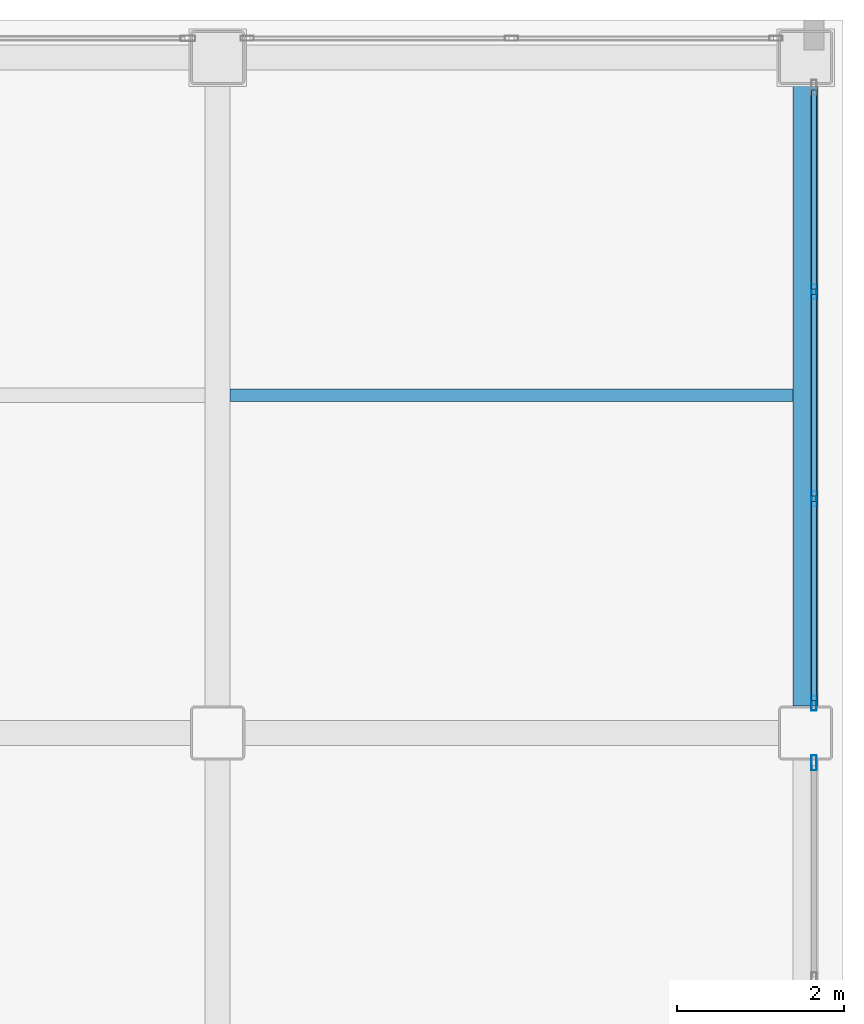
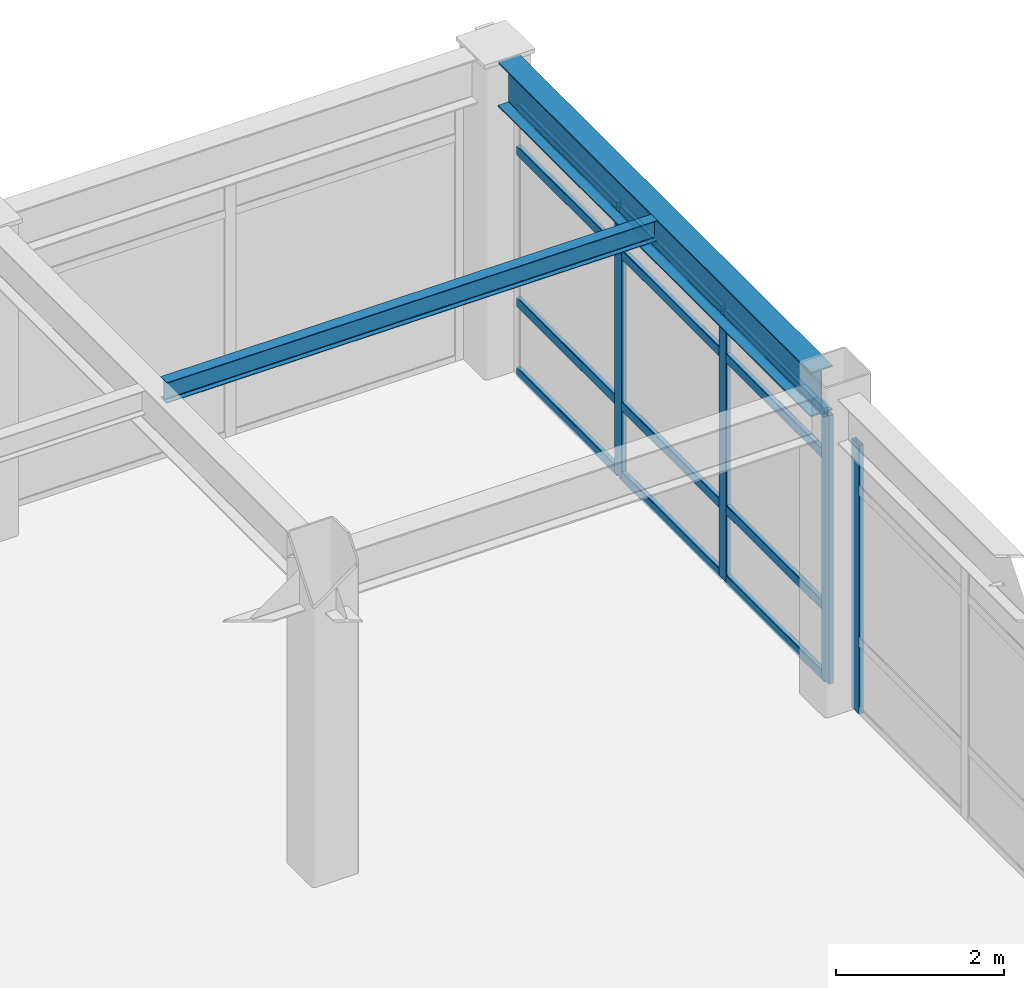
# One storey, part 41 of 61: 16 members, 2 beams, 2 elements without a shape of their own.
"""IFC4 building model written with IfcOpenShell, lengths in metres."""

from ifc_helpers import new_model, si_unit, direction, frame, origin, origin_2d, place, context, subcontext, project, spatial, hollow_rectangle, i_section, extrude, material, layer, layer_set, material_profile, profile_set, type_object, element, aggregate, save


model = new_model("IFC4")

# Units and contexts
model_context = context("Model", 3, precision=1e-05, world=origin(), true_north=direction((0.0, 1.0)))
body_context = subcontext(model_context, "Body", "Model", "MODEL_VIEW")
ifc_project = project(units=[si_unit("LENGTHUNIT", "METRE"), si_unit("AREAUNIT", "SQUARE_METRE"), si_unit("VOLUMEUNIT", "CUBIC_METRE"), si_unit("PLANEANGLEUNIT", "RADIAN"), si_unit("MASSUNIT", "GRAM", prefix="KILO")], contexts=[model_context])

# Site, building, storey
site_placement = place(None, origin())
site = spatial("IfcSite", under=ifc_project, at=site_placement, CompositionType="ELEMENT")
building_placement = place(site_placement, origin())
building = spatial("IfcBuilding", under=site, at=building_placement, Name="Kazehara Bluff Congress Hotel", CompositionType="ELEMENT")
storey_placement = place(building_placement, frame((0.0, 0.0, 19.800048828125)))
storey = spatial("IfcBuildingStorey", under=building, at=storey_placement, Name="L04", CompositionType="ELEMENT", Elevation=19.800048828125)

# Curtain wall, member
ifc_material_1 = material(Name="Anodised aluminium", Category="aluminium")
ifc_layer_1 = layer(ifc_material_1, 0.159912109375)
ifc_layer_set_1 = layer_set([ifc_layer_1], Name="Anodised aluminium")
curtain_wall_type_1 = type_object("IfcCurtainWallType", Name="TP-CW-163", PredefinedType="NOTDEFINED", material=ifc_layer_set_1)
curtain_wall_1_placement = place(storey_placement, origin())
curtain_wall_1 = element("IfcCurtainWall", 1, at=curtain_wall_1_placement, inside=storey, type_object=curtain_wall_type_1, Name="L04 curtain wall CW-163 CW-ENC-V5-L04-16765-10118", PredefinedType="NOTDEFINED")
ifc_material_2 = material(Name="Anodised aluminium", Category="aluminium")
ifc_material_profile_1 = material_profile(ifc_material_2, hollow_rectangle(XDim=0.06494140625, YDim=0.179931640625, WallThickness=0.00390625, InnerFilletRadius=0.00390625, OuterFilletRadius=0.008056640625, at=origin_2d()))
ifc_profile_set_1 = profile_set([ifc_material_profile_1], Name="Anodised aluminium")
member_type_1 = type_object("IfcMemberType", Name="TP-CWM-02", PredefinedType="MULLION", material=ifc_profile_set_1)
member_1_placement = place(storey_placement, frame((167.64990234375, 105.092529296875, 0.0), z_axis=(0.0, 0.0, 1.0), x_axis=(1.0, 0.0, 0.0)))
member_1 = element("IfcMember", 2, at=member_1_placement, type_object=member_type_1, Name="CW-163 mullion 1", PredefinedType="MULLION", context=body_context, shape_type="SweptSolid", body=[
    extrude(hollow_rectangle(XDim=0.06494140625, YDim=0.179931640625, WallThickness=0.00390625, InnerFilletRadius=0.00390625, OuterFilletRadius=0.008056640625, at=origin_2d()), origin(), (0.0, 0.0, 1.0), 3.905029296875),
])
aggregate(curtain_wall_1, [member_1])

# Curtain wall, members
ifc_material_3 = material(Name="Anodised aluminium", Category="aluminium")
ifc_layer_2 = layer(ifc_material_3, 0.159912109375)
ifc_layer_set_2 = layer_set([ifc_layer_2], Name="Anodised aluminium")
curtain_wall_type_2 = type_object("IfcCurtainWallType", Name="TP-CW-164", PredefinedType="NOTDEFINED", material=ifc_layer_set_2)
curtain_wall_2_placement = place(storey_placement, origin())
curtain_wall_2 = element("IfcCurtainWall", 3, at=curtain_wall_2_placement, inside=storey, type_object=curtain_wall_type_2, Name="L04 curtain wall CW-164 CW-ENC-V5-L04-16765-10950", PredefinedType="NOTDEFINED")
member_2_placement = place(storey_placement, frame((167.64990234375, 110.74169921875, 0.0), z_axis=(0.0, 0.0, 1.0), x_axis=(1.0, 0.0, 0.0)))
member_2 = element("IfcMember", 4, at=member_2_placement, type_object=member_type_1, Name="CW-164 mullion 2", PredefinedType="MULLION", context=body_context, shape_type="SweptSolid", body=[
    extrude(hollow_rectangle(XDim=0.06494140625, YDim=0.179931640625, WallThickness=0.00390625, InnerFilletRadius=0.00390625, OuterFilletRadius=0.008056640625, at=origin_2d()), origin(), (0.0, 0.0, 1.0), 3.905029296875),
])
member_3_placement = place(storey_placement, frame((167.64990234375, 108.25830078125, 0.0), z_axis=(0.0, 0.0, 1.0), x_axis=(1.0, 0.0, 0.0)))
member_3 = element("IfcMember", 5, at=member_3_placement, type_object=member_type_1, Name="CW-164 mullion 3", PredefinedType="MULLION", context=body_context, shape_type="SweptSolid", body=[
    extrude(hollow_rectangle(XDim=0.06494140625, YDim=0.179931640625, WallThickness=0.00390625, InnerFilletRadius=0.00390625, OuterFilletRadius=0.008056640625, at=origin_2d()), origin(), (0.0, 0.0, 1.0), 3.905029296875),
])
member_4_placement = place(storey_placement, frame((167.64990234375, 105.8076171875, 0.0), z_axis=(0.0, 0.0, 1.0), x_axis=(1.0, 0.0, 0.0)))
member_4 = element("IfcMember", 6, at=member_4_placement, type_object=member_type_1, Name="CW-164 mullion 4", PredefinedType="MULLION", context=body_context, shape_type="SweptSolid", body=[
    extrude(hollow_rectangle(XDim=0.06494140625, YDim=0.179931640625, WallThickness=0.00390625, InnerFilletRadius=0.00390625, OuterFilletRadius=0.008056640625, at=origin_2d()), origin(), (0.0, 0.0, 1.0), 3.905029296875),
])
ifc_material_4 = material(Name="Anodised aluminium", Category="aluminium")
ifc_material_profile_2 = material_profile(ifc_material_4, hollow_rectangle(XDim=0.06494140625, YDim=0.139892578125, WallThickness=0.00390625, InnerFilletRadius=0.00390625, OuterFilletRadius=0.008056640625, at=origin_2d()))
ifc_profile_set_2 = profile_set([ifc_material_profile_2], Name="Anodised aluminium")
member_type_2 = type_object("IfcMemberType", Name="TP-CWT-02", PredefinedType="USERDEFINED", material=ifc_profile_set_2)
member_5_placement = place(storey_placement, frame((167.64990234375, 113.159912109375, 0.032470703125), z_axis=(0.0, -1.0, 0.0), x_axis=(1.0, 0.0, 0.0)))
member_5 = element("IfcMember", 7, at=member_5_placement, type_object=member_type_2, Name="CW-164 transom 1.1", ObjectType="TRANSOM", PredefinedType="USERDEFINED", context=body_context, shape_type="SweptSolid", body=[
    extrude(hollow_rectangle(XDim=0.06494140625, YDim=0.139892578125, WallThickness=0.00390625, InnerFilletRadius=0.00390625, OuterFilletRadius=0.008056640625, at=origin_2d()), origin(), (0.0, 0.0, 1.0), 2.3857421875),
])
member_6_placement = place(storey_placement, frame((167.64990234375, 113.159912109375, 1.050048828125), z_axis=(0.0, -1.0, 0.0), x_axis=(1.0, 0.0, 0.0)))
member_6 = element("IfcMember", 8, at=member_6_placement, type_object=member_type_2, Name="CW-164 transom 1.2", ObjectType="TRANSOM", PredefinedType="USERDEFINED", context=body_context, shape_type="SweptSolid", body=[
    extrude(hollow_rectangle(XDim=0.06494140625, YDim=0.139892578125, WallThickness=0.00390625, InnerFilletRadius=0.00390625, OuterFilletRadius=0.008056640625, at=origin_2d()), origin(), (0.0, 0.0, 1.0), 2.3857421875),
])
member_7_placement = place(storey_placement, frame((167.64990234375, 113.159912109375, 3.2548828125), z_axis=(0.0, -1.0, 0.0), x_axis=(1.0, 0.0, 0.0)))
member_7 = element("IfcMember", 9, at=member_7_placement, type_object=member_type_2, Name="CW-164 transom 1.3", ObjectType="TRANSOM", PredefinedType="USERDEFINED", context=body_context, shape_type="SweptSolid", body=[
    extrude(hollow_rectangle(XDim=0.06494140625, YDim=0.139892578125, WallThickness=0.00390625, InnerFilletRadius=0.00390625, OuterFilletRadius=0.008056640625, at=origin_2d()), origin(), (0.0, 0.0, 1.0), 2.3857421875),
])
member_8_placement = place(storey_placement, frame((167.64990234375, 113.159912109375, 3.87255859375), z_axis=(0.0, -1.0, 0.0), x_axis=(1.0, 0.0, 0.0)))
member_8 = element("IfcMember", 10, at=member_8_placement, type_object=member_type_2, Name="CW-164 transom 1.4", ObjectType="TRANSOM", PredefinedType="USERDEFINED", context=body_context, shape_type="SweptSolid", body=[
    extrude(hollow_rectangle(XDim=0.06494140625, YDim=0.139892578125, WallThickness=0.00390625, InnerFilletRadius=0.00390625, OuterFilletRadius=0.008056640625, at=origin_2d()), origin(), (0.0, 0.0, 1.0), 2.3857421875),
])
member_9_placement = place(storey_placement, frame((167.64990234375, 110.709228515625, 0.032470703125), z_axis=(0.0, -1.0, 0.0), x_axis=(1.0, 0.0, 0.0)))
member_9 = element("IfcMember", 11, at=member_9_placement, type_object=member_type_2, Name="CW-164 transom 2.1", ObjectType="TRANSOM", PredefinedType="USERDEFINED", context=body_context, shape_type="SweptSolid", body=[
    extrude(hollow_rectangle(XDim=0.06494140625, YDim=0.139892578125, WallThickness=0.00390625, InnerFilletRadius=0.00390625, OuterFilletRadius=0.008056640625, at=origin_2d()), origin(), (0.0, 0.0, 1.0), 2.41845703125),
])
member_10_placement = place(storey_placement, frame((167.64990234375, 110.709228515625, 1.050048828125), z_axis=(0.0, -1.0, 0.0), x_axis=(1.0, 0.0, 0.0)))
member_10 = element("IfcMember", 12, at=member_10_placement, type_object=member_type_2, Name="CW-164 transom 2.2", ObjectType="TRANSOM", PredefinedType="USERDEFINED", context=body_context, shape_type="SweptSolid", body=[
    extrude(hollow_rectangle(XDim=0.06494140625, YDim=0.139892578125, WallThickness=0.00390625, InnerFilletRadius=0.00390625, OuterFilletRadius=0.008056640625, at=origin_2d()), origin(), (0.0, 0.0, 1.0), 2.41845703125),
])
member_11_placement = place(storey_placement, frame((167.64990234375, 110.709228515625, 3.2548828125), z_axis=(0.0, -1.0, 0.0), x_axis=(1.0, 0.0, 0.0)))
member_11 = element("IfcMember", 13, at=member_11_placement, type_object=member_type_2, Name="CW-164 transom 2.3", ObjectType="TRANSOM", PredefinedType="USERDEFINED", context=body_context, shape_type="SweptSolid", body=[
    extrude(hollow_rectangle(XDim=0.06494140625, YDim=0.139892578125, WallThickness=0.00390625, InnerFilletRadius=0.00390625, OuterFilletRadius=0.008056640625, at=origin_2d()), origin(), (0.0, 0.0, 1.0), 2.41845703125),
])
member_12_placement = place(storey_placement, frame((167.64990234375, 110.709228515625, 3.87255859375), z_axis=(0.0, -1.0, 0.0), x_axis=(1.0, 0.0, 0.0)))
member_12 = element("IfcMember", 14, at=member_12_placement, type_object=member_type_2, Name="CW-164 transom 2.4", ObjectType="TRANSOM", PredefinedType="USERDEFINED", context=body_context, shape_type="SweptSolid", body=[
    extrude(hollow_rectangle(XDim=0.06494140625, YDim=0.139892578125, WallThickness=0.00390625, InnerFilletRadius=0.00390625, OuterFilletRadius=0.008056640625, at=origin_2d()), origin(), (0.0, 0.0, 1.0), 2.41845703125),
])
member_13_placement = place(storey_placement, frame((167.64990234375, 108.225830078125, 0.032470703125), z_axis=(0.0, -1.0, 0.0), x_axis=(1.0, 0.0, 0.0)))
member_13 = element("IfcMember", 15, at=member_13_placement, type_object=member_type_2, Name="CW-164 transom 3.1", ObjectType="TRANSOM", PredefinedType="USERDEFINED", context=body_context, shape_type="SweptSolid", body=[
    extrude(hollow_rectangle(XDim=0.06494140625, YDim=0.139892578125, WallThickness=0.00390625, InnerFilletRadius=0.00390625, OuterFilletRadius=0.008056640625, at=origin_2d()), origin(), (0.0, 0.0, 1.0), 2.3857421875),
])
member_14_placement = place(storey_placement, frame((167.64990234375, 108.225830078125, 1.050048828125), z_axis=(0.0, -1.0, 0.0), x_axis=(1.0, 0.0, 0.0)))
member_14 = element("IfcMember", 16, at=member_14_placement, type_object=member_type_2, Name="CW-164 transom 3.2", ObjectType="TRANSOM", PredefinedType="USERDEFINED", context=body_context, shape_type="SweptSolid", body=[
    extrude(hollow_rectangle(XDim=0.06494140625, YDim=0.139892578125, WallThickness=0.00390625, InnerFilletRadius=0.00390625, OuterFilletRadius=0.008056640625, at=origin_2d()), origin(), (0.0, 0.0, 1.0), 2.3857421875),
])
member_15_placement = place(storey_placement, frame((167.64990234375, 108.225830078125, 3.2548828125), z_axis=(0.0, -1.0, 0.0), x_axis=(1.0, 0.0, 0.0)))
member_15 = element("IfcMember", 17, at=member_15_placement, type_object=member_type_2, Name="CW-164 transom 3.3", ObjectType="TRANSOM", PredefinedType="USERDEFINED", context=body_context, shape_type="SweptSolid", body=[
    extrude(hollow_rectangle(XDim=0.06494140625, YDim=0.139892578125, WallThickness=0.00390625, InnerFilletRadius=0.00390625, OuterFilletRadius=0.008056640625, at=origin_2d()), origin(), (0.0, 0.0, 1.0), 2.3857421875),
])
member_16_placement = place(storey_placement, frame((167.64990234375, 108.225830078125, 3.87255859375), z_axis=(0.0, -1.0, 0.0), x_axis=(1.0, 0.0, 0.0)))
member_16 = element("IfcMember", 18, at=member_16_placement, type_object=member_type_2, Name="CW-164 transom 3.4", ObjectType="TRANSOM", PredefinedType="USERDEFINED", context=body_context, shape_type="SweptSolid", body=[
    extrude(hollow_rectangle(XDim=0.06494140625, YDim=0.139892578125, WallThickness=0.00390625, InnerFilletRadius=0.00390625, OuterFilletRadius=0.008056640625, at=origin_2d()), origin(), (0.0, 0.0, 1.0), 2.3857421875),
])
aggregate(curtain_wall_2, [member_2, member_3, member_4, member_5, member_6, member_7, member_8, member_9, member_10, member_11, member_12, member_13, member_14, member_15, member_16])

# Beams
ifc_material_5 = material(Name="Steel SN490B", Category="steel")
ifc_material_profile_3 = material_profile(ifc_material_5, i_section(OverallWidth=0.300048828125, OverallDepth=0.64990234375, WebThickness=0.011962890625, FlangeThickness=0.02001953125, FilletRadius=0.012939453125, at=origin_2d()))
ifc_profile_set_3 = profile_set([ifc_material_profile_3], Name="Steel SN490B")
beam_type_1 = type_object("IfcBeamType", Name="TP-G-03", PredefinedType="BEAM", material=ifc_profile_set_3)
beam_1_placement = place(storey_placement, frame((167.550048828125, 105.77490234375, 4.2548828125), z_axis=(0.0, 1.0, 0.0), x_axis=(-1.0, 0.0, 0.0)))
element("IfcBeam", 19, at=beam_1_placement, inside=storey, type_object=beam_type_1, Name="L04 girder G-03 77", PredefinedType="BEAM", context=body_context, shape_type="SweptSolid", body=[
    extrude(i_section(OverallWidth=0.300048828125, OverallDepth=0.64990234375, WebThickness=0.011962890625, FlangeThickness=0.02001953125, FilletRadius=0.012939453125, at=origin_2d()), origin(), (0.0, 0.0, 1.0), 7.4501953125),
])
ifc_material_6 = material(Name="Steel SN400B", Category="steel")
ifc_material_profile_4 = material_profile(ifc_material_6, i_section(OverallWidth=0.14990234375, OverallDepth=0.300048828125, WebThickness=0.006591796875, FlangeThickness=0.009033203125, FilletRadius=0.012939453125, at=origin_2d()))
ifc_profile_set_4 = profile_set([ifc_material_profile_4], Name="Steel SN400B")
beam_type_2 = type_object("IfcBeamType", Name="TP-J-01", PredefinedType="JOIST", material=ifc_profile_set_4)
beam_2_placement = place(storey_placement, frame((160.64990234375, 109.5, 4.429931640625), z_axis=(1.0, 0.0, 0.0), x_axis=(0.0, 1.0, 0.0)))
element("IfcBeam", 20, at=beam_2_placement, inside=storey, type_object=beam_type_2, Name="L04 secondary joist J-01 39", PredefinedType="JOIST", context=body_context, shape_type="SweptSolid", body=[
    extrude(i_section(OverallWidth=0.14990234375, OverallDepth=0.300048828125, WebThickness=0.006591796875, FlangeThickness=0.009033203125, FilletRadius=0.012939453125, at=origin_2d()), origin(), (0.0, 0.0, 1.0), 6.75),
])

save(model, "model.ifc")
